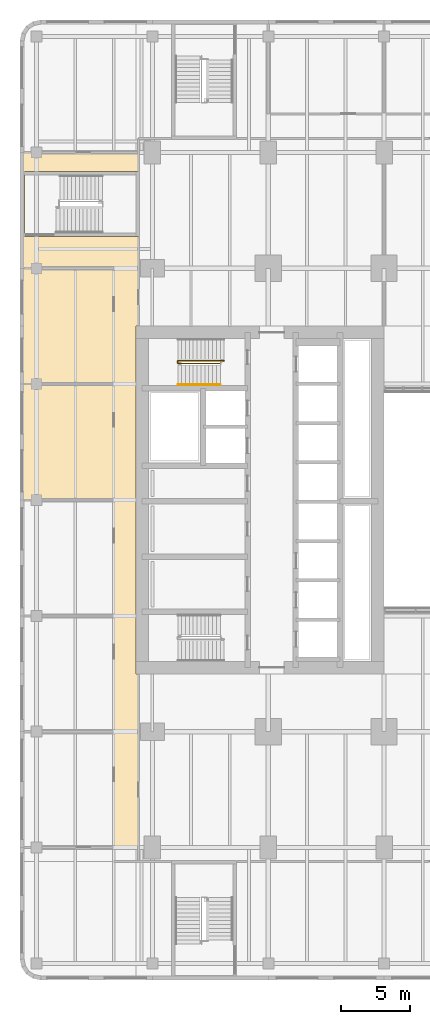
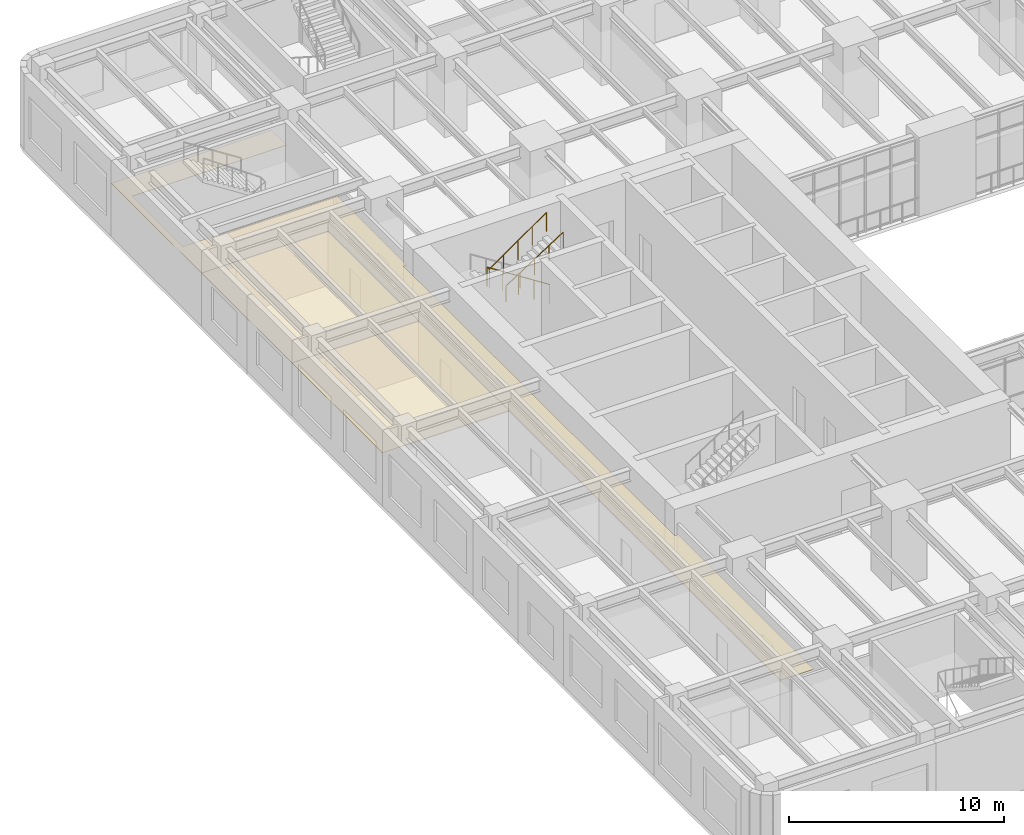
# One storey, part 20 of 26: 3 coverings, 2 railings.
"""IFC4 building model written with IfcOpenShell, lengths in metres."""

from ifc_helpers import new_model, si_unit, direction, frame, origin, origin_2d, place, context, subcontext, project, spatial, polyline, circle, outline, extrude, material, layer, layer_set, type_object, element, save


model = new_model("IFC4")

# Units and contexts
model_context = context("Model", 3, precision=1e-05, world=origin(), true_north=direction((0.0, 1.0)))
body_context = subcontext(model_context, "Body", "Model", "MODEL_VIEW")
ifc_project = project(units=[si_unit("LENGTHUNIT", "METRE"), si_unit("AREAUNIT", "SQUARE_METRE"), si_unit("VOLUMEUNIT", "CUBIC_METRE"), si_unit("PLANEANGLEUNIT", "RADIAN"), si_unit("MASSUNIT", "GRAM", prefix="KILO")], contexts=[model_context])

# Site, building, storey
site_placement = place(None, origin())
site = spatial("IfcSite", under=ifc_project, at=site_placement, CompositionType="ELEMENT")
building_placement = place(site_placement, origin())
building = spatial("IfcBuilding", under=site, at=building_placement, Name="Claustro Exchange Tower", CompositionType="ELEMENT")
storey_placement = place(building_placement, frame((0.0, 0.0, 9.89990234375)))
storey = spatial("IfcBuildingStorey", under=building, at=storey_placement, Name="L02", CompositionType="ELEMENT", Elevation=9.89990234375)

# Coverings
ifc_material_1 = material(Name="Gypsum board ceiling", Category="gypsum board")
ifc_layer = layer(ifc_material_1, 0.02490234375)
ifc_layer_set = layer_set([ifc_layer], Name="Gypsum board ceiling")
covering_type = type_object("IfcCoveringType", Name="CL2 plasterboard ceiling", PredefinedType="CEILING", material=ifc_layer_set)
covering_1_placement = place(storey_placement, frame((0.0, 0.0, 3.0)))
element("IfcCovering", 1, at=covering_1_placement, inside=storey, type_object=covering_type, Name="Ceiling CL2 L02-13", PredefinedType="CEILING", context=body_context, shape_type="SweptSolid", body=[
    extrude(outline(polyline([(-1.0, 50.39990234375), (-9.60009765625, 50.39990234375), (-9.60009765625, 42.0), (-2.800048828125, 42.0), (-2.800048828125, 33.60009765625), (-2.800048828125, 25.199951171875), (-2.800048828125, 16.800048828125), (-2.800048828125, 8.39990234375), (-2.800048828125, 0.0), (-1.0, 0.0), (-1.0, 12.60009765625), (-1.199951171875, 12.60009765625), (-1.199951171875, 37.800048828125), (-1.0, 37.800048828125), (-1.0, 44.300048828125), (-9.280029296875, 44.300048828125), (-9.280029296875, 49.0), (-1.0, 49.0), (-1.0, 50.39990234375)])), origin(), (0.0, 0.0, 1.0), 0.025146484375),
])
covering_2_placement = place(storey_placement, frame((0.0, 0.0, 3.0)))
element("IfcCovering", 2, at=covering_2_placement, inside=storey, type_object=covering_type, Name="Ceiling CL2 L02-14", PredefinedType="CEILING", context=body_context, shape_type="SweptSolid", body=[
    extrude(outline(polyline([(-9.60009765625, 33.60009765625), (-9.60009765625, 25.199951171875), (-2.800048828125, 25.199951171875), (-2.800048828125, 33.60009765625), (-9.60009765625, 33.60009765625)])), origin(), (0.0, 0.0, 1.0), 0.025146484375),
])
covering_3_placement = place(storey_placement, frame((0.0, 0.0, 3.0)))
element("IfcCovering", 3, at=covering_3_placement, inside=storey, type_object=covering_type, Name="Ceiling CL2 L02-16", PredefinedType="CEILING", context=body_context, shape_type="SweptSolid", body=[
    extrude(outline(polyline([(-9.60009765625, 42.0), (-9.60009765625, 33.60009765625), (-2.800048828125, 33.60009765625), (-2.800048828125, 42.0), (-9.60009765625, 42.0)])), origin(), (0.0, 0.0, 1.0), 0.025146484375),
])

# Railings
ifc_material_2 = material(Name="Steel balustrade, painted", Category="steel")
railing_type_1 = type_object("IfcRailingType", Name="GR2 1100 steel stair guard", PredefinedType="GUARDRAIL", material=ifc_material_2)
railing_1_placement = place(storey_placement, frame((5.199951171875, 35.300048828125, 0.18017578125)))
element("IfcRailing", 4, at=railing_1_placement, inside=storey, type_object=railing_type_1, Name="Stair well guard GR2 stair STWB L02", PredefinedType="GUARDRAIL", context=body_context, shape_type="SweptSolid", body=[
    extrude(circle(Radius=0.02392578125, at=origin_2d()), frame((0.0, 0.0, 1.076171875), z_axis=(-0.841178475377, 0.0, 0.540757591313), x_axis=(0.0, -1.0, 0.0)), (0.0, 0.0, 1.0), 3.994140625),
    extrude(circle(Radius=0.02392578125, at=origin_2d()), frame((-3.35986328125, 0.0, 3.23583984375), z_axis=(0.0, -1.0, 0.0), x_axis=(1.0, 0.0, 0.0)), (0.0, 0.0, 1.0), 0.199951171875),
    extrude(circle(Radius=0.02392578125, at=origin_2d()), frame((-3.35986328125, -0.199951171875, 3.23583984375), z_axis=(0.818728512145, 0.0, 0.574180828137), x_axis=(0.0, 1.0, 0.0)), (0.0, 0.0, 1.0), 3.76171875),
    extrude(circle(Radius=0.02099609375, at=origin_2d()), origin(), (0.0, 0.0, 1.0), 1.052001953125),
    extrude(circle(Radius=0.02099609375, at=origin_2d()), frame((-0.83984375, 0.0, 0.5400390625)), (0.0, 0.0, 1.0), 1.052001953125),
    extrude(circle(Radius=0.02099609375, at=origin_2d()), frame((-1.679931640625, 0.0, 1.080078125)), (0.0, 0.0, 1.0), 1.052001953125),
    extrude(circle(Radius=0.02099609375, at=origin_2d()), frame((-2.52001953125, 0.0, 1.619873046875)), (0.0, 0.0, 1.0), 1.052001953125),
    extrude(circle(Radius=0.02099609375, at=origin_2d()), frame((-3.35986328125, 0.0, 2.159912109375)), (0.0, 0.0, 1.0), 1.052001953125),
    extrude(circle(Radius=0.02099609375, at=origin_2d()), frame((-3.35986328125, -0.199951171875, 2.159912109375)), (0.0, 0.0, 1.0), 1.052001953125),
    extrude(circle(Radius=0.02099609375, at=origin_2d()), frame((-2.58984375, -0.199951171875, 2.699951171875)), (0.0, 0.0, 1.0), 1.052001953125),
    extrude(circle(Radius=0.02099609375, at=origin_2d()), frame((-1.81982421875, -0.199951171875, 3.23974609375)), (0.0, 0.0, 1.0), 1.052001953125),
    extrude(circle(Radius=0.02099609375, at=origin_2d()), frame((-1.050048828125, -0.199951171875, 3.77978515625)), (0.0, 0.0, 1.0), 1.052001953125),
    extrude(circle(Radius=0.02099609375, at=origin_2d()), frame((-0.280029296875, -0.199951171875, 4.31982421875)), (0.0, 0.0, 1.0), 1.052001953125),
])
ifc_material_3 = material(Name="Stainless steel tube", Category="steel")
railing_type_2 = type_object("IfcRailingType", Name="HR1 900 stair handrail", PredefinedType="HANDRAIL", material=ifc_material_3)
railing_2_placement = place(storey_placement, frame((1.840087890625, 33.56005859375, 2.52001953125)))
element("IfcRailing", 5, at=railing_2_placement, inside=storey, type_object=railing_type_2, Name="Handrail HR1 stair STWB L02", PredefinedType="HANDRAIL", context=body_context, shape_type="SweptSolid", body=[
    extrude(circle(Radius=0.02392578125, at=origin_2d()), frame((0.0, 0.0, 0.8759765625), z_axis=(0.841167642724, 0.0, 0.540774441735), x_axis=(0.0, 1.0, 0.0)), (0.0, 0.0, 1.0), 3.661376953125),
    extrude(circle(Radius=0.02099609375, at=origin_2d()), origin(), (0.0, 0.0, 1.0), 0.851806640625),
    extrude(circle(Radius=0.02099609375, at=origin_2d()), frame((0.77001953125, 0.0, 0.4951171875)), (0.0, 0.0, 1.0), 0.851806640625),
    extrude(circle(Radius=0.02099609375, at=origin_2d()), frame((1.5400390625, 0.0, 0.989990234375)), (0.0, 0.0, 1.0), 0.851806640625),
    extrude(circle(Radius=0.02099609375, at=origin_2d()), frame((2.309814453125, 0.0, 1.48486328125)), (0.0, 0.0, 1.0), 0.851806640625),
    extrude(circle(Radius=0.02099609375, at=origin_2d()), frame((3.079833984375, 0.0, 1.97998046875)), (0.0, 0.0, 1.0), 0.851806640625),
])

save(model, "model.ifc")
